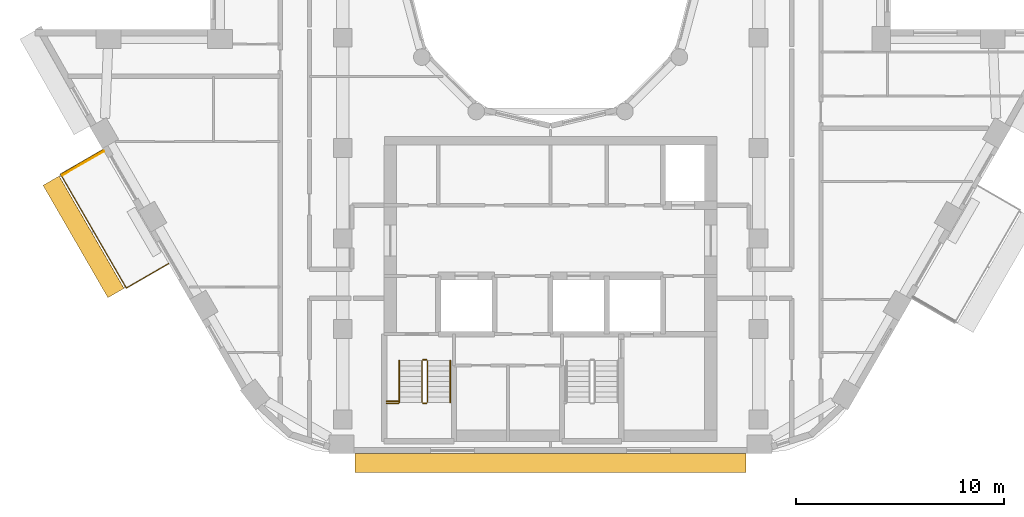
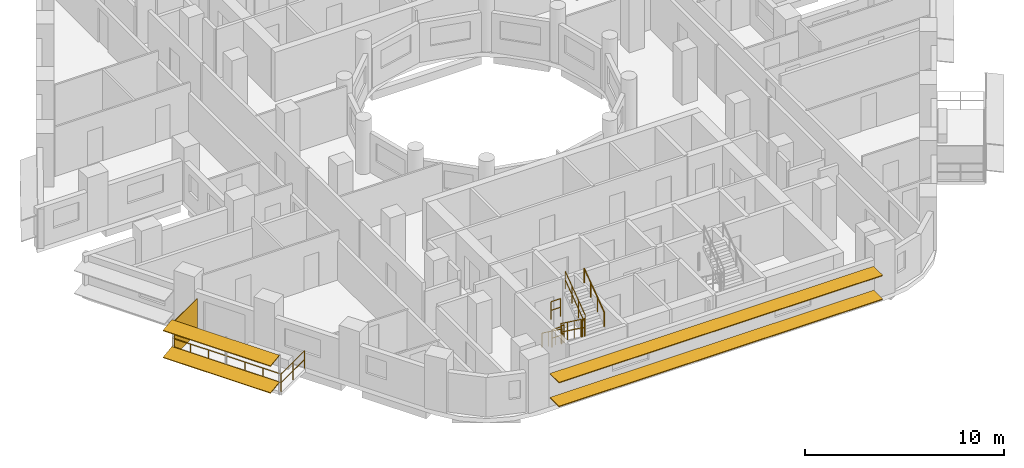
# One storey, part 13 of 16: 9 railings, 5 shading devices.
"""IFC4 building model written with IfcOpenShell, lengths in metres."""

from ifc_helpers import new_model, si_unit, direction, frame, origin, origin_2d, place, context, subcontext, project, spatial, rectangle, circle, extrude, material, layer, layer_set, material_profile, profile_set, type_object, element, save


model = new_model("IFC4")

# Units and contexts
model_context = context("Model", 3, precision=1e-05, world=origin(), true_north=direction((0.0, 1.0)))
body_context = subcontext(model_context, "Body", "Model", "MODEL_VIEW")
ifc_project = project(units=[si_unit("LENGTHUNIT", "METRE"), si_unit("AREAUNIT", "SQUARE_METRE"), si_unit("VOLUMEUNIT", "CUBIC_METRE"), si_unit("PLANEANGLEUNIT", "RADIAN"), si_unit("MASSUNIT", "GRAM", prefix="KILO")], contexts=[model_context])

# Site, building, storey
site_placement = place(None, origin())
site = spatial("IfcSite", under=ifc_project, at=site_placement, CompositionType="ELEMENT")
building_placement = place(site_placement, origin())
building = spatial("IfcBuilding", under=site, at=building_placement, Name="Nakaniwa Court", CompositionType="ELEMENT")
storey_placement = place(building_placement, frame((0.0, 0.0, 199.800048828125)))
storey = spatial("IfcBuildingStorey", under=building, at=storey_placement, Name="L52", CompositionType="ELEMENT", Elevation=199.800048828125)

# Railing
ifc_material_1 = material(Name="Black powder-coated steel flat bar balustrade S275", Category="steel")
railing_type_1 = type_object("IfcRailingType", Name="Black metal balcony guard 1100", PredefinedType="GUARDRAIL", material=ifc_material_1)
railing_1_placement = place(storey_placement, frame((58.4814453125, 71.97119140625, -0.050048828125)))
element("IfcRailing", 1, at=railing_1_placement, inside=storey, type_object=railing_type_1, Name="L52 balcony guard 01", PredefinedType="GUARDRAIL", context=body_context, shape_type="SweptSolid", body=[
    extrude(circle(Radius=0.02392578125, at=origin_2d()), frame((0.0, 0.0, 1.076171875), z_axis=(-0.866051224006, -0.499955275397, 0.0), x_axis=(0.499955275397, -0.866051224006, 0.0)), (0.0, 0.0, 1.0), 2.360107421875),
    extrude(circle(Radius=0.02392578125, at=origin_2d()), frame((0.0, 0.0, 0.550048828125), z_axis=(-0.866051224006, -0.499955275397, 0.0), x_axis=(0.499955275397, -0.866051224006, 0.0)), (0.0, 0.0, 1.0), 2.360107421875),
    extrude(circle(Radius=0.02392578125, at=origin_2d()), frame((-2.0439453125, -1.179931640625, 1.076171875), z_axis=(0.500003371769, -0.866023457084, 0.0), x_axis=(0.866023457084, 0.500003371769, 0.0)), (0.0, 0.0, 1.0), 6.3193359375),
    extrude(circle(Radius=0.02392578125, at=origin_2d()), frame((-2.0439453125, -1.179931640625, 0.550048828125), z_axis=(0.500003371769, -0.866023457084, 0.0), x_axis=(0.866023457084, 0.500003371769, 0.0)), (0.0, 0.0, 1.0), 6.3193359375),
    extrude(circle(Radius=0.02392578125, at=origin_2d()), frame((1.11572265625, -6.652587890625, 1.076171875), z_axis=(0.865980564943, 0.500077655111, 0.0), x_axis=(-0.500077655111, 0.865980564943, 0.0)), (0.0, 0.0, 1.0), 2.35986328125),
    extrude(circle(Radius=0.02392578125, at=origin_2d()), frame((1.11572265625, -6.652587890625, 0.550048828125), z_axis=(0.865980564943, 0.500077655111, 0.0), x_axis=(-0.500077655111, 0.865980564943, 0.0)), (0.0, 0.0, 1.0), 2.35986328125),
    extrude(circle(Radius=0.02099609375, at=origin_2d()), origin(), (0.0, 0.0, 1.0), 1.052001953125),
    extrude(circle(Radius=0.02099609375, at=origin_2d()), frame((-1.02197265625, -0.58984375, 0.0)), (0.0, 0.0, 1.0), 1.052001953125),
    extrude(circle(Radius=0.02099609375, at=origin_2d()), frame((-2.0439453125, -1.179931640625, 0.0)), (0.0, 0.0, 1.0), 1.052001953125),
    extrude(circle(Radius=0.02099609375, at=origin_2d()), frame((-1.517333984375, -2.092041015625, 0.0)), (0.0, 0.0, 1.0), 1.052001953125),
    extrude(circle(Radius=0.02099609375, at=origin_2d()), frame((-0.99072265625, -3.004150390625, 0.0)), (0.0, 0.0, 1.0), 1.052001953125),
    extrude(circle(Radius=0.02099609375, at=origin_2d()), frame((-0.464111328125, -3.916259765625, 0.0)), (0.0, 0.0, 1.0), 1.052001953125),
    extrude(circle(Radius=0.02099609375, at=origin_2d()), frame((0.0625, -4.828369140625, 0.0)), (0.0, 0.0, 1.0), 1.052001953125),
    extrude(circle(Radius=0.02099609375, at=origin_2d()), frame((0.589111328125, -5.740478515625, 0.0)), (0.0, 0.0, 1.0), 1.052001953125),
    extrude(circle(Radius=0.02099609375, at=origin_2d()), frame((1.11572265625, -6.652587890625, 0.0)), (0.0, 0.0, 1.0), 1.052001953125),
    extrude(circle(Radius=0.02099609375, at=origin_2d()), frame((2.1376953125, -6.0625, 0.0)), (0.0, 0.0, 1.0), 1.052001953125),
    extrude(circle(Radius=0.02099609375, at=origin_2d()), frame((3.159423828125, -5.472412109375, 0.0)), (0.0, 0.0, 1.0), 1.052001953125),
])

# Shading devices
ifc_material_2 = material(Name="Black powder-coated aluminium slat screen", Category="aluminium")
ifc_layer = layer(ifc_material_2, 0.0400390625)
ifc_layer_set = layer_set([ifc_layer], Name="Black powder-coated aluminium slat screen")
shading_device_type_1 = type_object("IfcShadingDeviceType", Name="Koshi screen black metal", PredefinedType="USERDEFINED", material=ifc_layer_set)
shading_device_placement = place(storey_placement, frame((57.521240234375, 71.324462890625, -0.050048828125), z_axis=(0.0, 0.0, 1.0), x_axis=(0.499986396443, -0.866033257659, 0.0)))
element("IfcShadingDevice", 2, at=shading_device_placement, inside=storey, type_object=shading_device_type_1, Name="L52 balcony SCREEN 01 W", ObjectType="KOSHI SCREEN", PredefinedType="USERDEFINED", context=body_context, shape_type="SweptSolid", body=[
    extrude(rectangle(XDim=0.0400390625, YDim=2.31005859375, at=origin_2d()), origin(), (0.0, 0.0, 1.0), 2.10009765625),
])
ifc_material_3 = material(Name="Perforated charcoal ceramic louvre blade")
ifc_material_profile = material_profile(ifc_material_3, rectangle(XDim=0.89990234375, YDim=0.050048828125, at=origin_2d()), Name="Perforated ceramic louvre blade")
ifc_profile_set = profile_set([ifc_material_profile], Name="Perforated charcoal ceramic louvre blade")
shading_device_type_2 = type_object("IfcShadingDeviceType", Name="Perforated ceramic louvre blade", PredefinedType="JALOUSIE", material=ifc_profile_set)
for number, where, z_axis, x_axis, name in (
    (3, (55.981689453125, 70.48193359375, 0.5), (0.500002460556, -0.866023983177, 0.0), (0.858615027947, 0.495724870193, 0.13052619222), "L52 perforated ceramic louvre blade 01 1"),
    (4, (55.981689453125, 70.48193359375, 2.14990234375), (0.500002460556, -0.866023983177, 0.0), (0.858615027947, 0.495724870193, 0.13052619222), "L52 perforated ceramic louvre blade 01 2"),
):
    element("IfcShadingDevice", number, at=place(storey_placement, frame(where, z_axis=z_axis, x_axis=x_axis)), inside=storey, type_object=shading_device_type_2, Name=name, PredefinedType="JALOUSIE", context=body_context, shape_type="SweptSolid", body=[
        extrude(rectangle(XDim=0.89990234375, YDim=0.050048828125, at=origin_2d()), origin(), (0.0, 0.0, 1.0), 6.2392578125),
    ])
for number, where, z_axis, x_axis, name in (
    (5, (70.6005859375, 56.89990234375, 0.550048828125), (1.0, 0.0, 0.0), (0.0, 1.0, 0.0), "L52 perforated ceramic louvre blade w26 1"),
    (6, (70.6005859375, 56.89990234375, 2.014892578125), (1.0, 0.0, 0.0), (0.0, 1.0, 0.0), "L52 perforated ceramic louvre blade w26 2"),
):
    element("IfcShadingDevice", number, at=place(storey_placement, frame(where, z_axis=z_axis, x_axis=x_axis)), inside=storey, type_object=shading_device_type_2, Name=name, PredefinedType="JALOUSIE", context=body_context, shape_type="SweptSolid", body=[
        extrude(rectangle(XDim=0.89990234375, YDim=0.050048828125, at=origin_2d()), origin(), (0.0, 0.0, 1.0), 18.79296875),
    ])

# Railings
ifc_material_4 = material(Name="Black powder coated steel guard", Category="steel")
railing_type_2 = type_object("IfcRailingType", Name="Stair guard 1100", PredefinedType="GUARDRAIL", material=ifc_material_4)
railing_2_placement = place(storey_placement, frame((73.824951171875, 61.824951171875, 0.183349609375)))
element("IfcRailing", 7, at=railing_2_placement, inside=storey, type_object=railing_type_2, Name="L52 ST3 stair guard 1", PredefinedType="GUARDRAIL", context=body_context, shape_type="SweptSolid", body=[
    extrude(circle(Radius=0.02392578125, at=origin_2d()), frame((0.0, 0.0, 1.076171875), z_axis=(0.0, -0.806426902644, 0.591333789573), x_axis=(1.0, 0.0, 0.0)), (0.0, 0.0, 1.0), 2.47998046875),
    extrude(circle(Radius=0.02392578125, at=origin_2d()), frame((0.0, 0.0, 0.550048828125), z_axis=(0.0, -0.806426902644, 0.591333789573), x_axis=(1.0, 0.0, 0.0)), (0.0, 0.0, 1.0), 2.47998046875),
    extrude(circle(Radius=0.02099609375, at=origin_2d()), origin(), (0.0, 0.0, 1.0), 1.052001953125),
    extrude(circle(Radius=0.02099609375, at=origin_2d()), frame((0.0, -0.666748046875, 0.48876953125)), (0.0, 0.0, 1.0), 1.052001953125),
    extrude(circle(Radius=0.02099609375, at=origin_2d()), frame((0.0, -1.333251953125, 0.977783203125)), (0.0, 0.0, 1.0), 1.052001953125),
    extrude(circle(Radius=0.02099609375, at=origin_2d()), frame((0.0, -2.0, 1.466552734375)), (0.0, 0.0, 1.0), 1.052001953125),
])
railing_3_placement = place(storey_placement, frame((73.875, 59.77490234375, 1.64990234375)))
element("IfcRailing", 8, at=railing_3_placement, inside=storey, type_object=railing_type_2, Name="L52 ST3 stair guard 2", PredefinedType="GUARDRAIL", context=body_context, shape_type="SweptSolid", body=[
    extrude(circle(Radius=0.02392578125, at=origin_2d()), frame((0.0, 0.0, 1.076171875), z_axis=(1.0, 0.0, 0.0), x_axis=(0.0, 1.0, 0.0)), (0.0, 0.0, 1.0), 0.14990234375),
    extrude(circle(Radius=0.02392578125, at=origin_2d()), frame((0.0, 0.0, 0.550048828125), z_axis=(1.0, 0.0, 0.0), x_axis=(0.0, 1.0, 0.0)), (0.0, 0.0, 1.0), 0.14990234375),
    extrude(circle(Radius=0.02099609375, at=origin_2d()), origin(), (0.0, 0.0, 1.0), 1.052001953125),
    extrude(circle(Radius=0.02099609375, at=origin_2d()), frame((0.14990234375, 0.0, 0.0)), (0.0, 0.0, 1.0), 1.052001953125),
])
railing_4_placement = place(storey_placement, frame((74.074951171875, 59.824951171875, 1.833251953125)))
element("IfcRailing", 9, at=railing_4_placement, inside=storey, type_object=railing_type_2, Name="L52 ST3 stair guard 3", PredefinedType="GUARDRAIL", context=body_context, shape_type="SweptSolid", body=[
    extrude(circle(Radius=0.02392578125, at=origin_2d()), frame((0.0, 0.0, 1.076171875), z_axis=(0.0, 0.806379959628, 0.591397802423), x_axis=(-1.0, 0.0, 0.0)), (0.0, 0.0, 1.0), 2.480224609375),
    extrude(circle(Radius=0.02392578125, at=origin_2d()), frame((0.0, 0.0, 0.550048828125), z_axis=(0.0, 0.806379959628, 0.591397802423), x_axis=(-1.0, 0.0, 0.0)), (0.0, 0.0, 1.0), 2.480224609375),
    extrude(circle(Radius=0.02099609375, at=origin_2d()), origin(), (0.0, 0.0, 1.0), 1.052001953125),
    extrude(circle(Radius=0.02099609375, at=origin_2d()), frame((0.0, 0.666748046875, 0.489013671875)), (0.0, 0.0, 1.0), 1.052001953125),
    extrude(circle(Radius=0.02099609375, at=origin_2d()), frame((0.0, 1.333251953125, 0.977783203125)), (0.0, 0.0, 1.0), 1.052001953125),
    extrude(circle(Radius=0.02099609375, at=origin_2d()), frame((0.0, 2.0, 1.466796875)), (0.0, 0.0, 1.0), 1.052001953125),
])
railing_5_placement = place(storey_placement, frame((73.875, 61.875, 0.0)))
element("IfcRailing", 10, at=railing_5_placement, inside=storey, type_object=railing_type_2, Name="L52 ST3 stair guard 4", PredefinedType="GUARDRAIL", context=body_context, shape_type="SweptSolid", body=[
    extrude(circle(Radius=0.02392578125, at=origin_2d()), frame((0.0, 0.0, 1.076171875), z_axis=(1.0, 0.0, 0.0), x_axis=(0.0, 1.0, 0.0)), (0.0, 0.0, 1.0), 0.14990234375),
    extrude(circle(Radius=0.02392578125, at=origin_2d()), frame((0.0, 0.0, 0.550048828125), z_axis=(1.0, 0.0, 0.0), x_axis=(0.0, 1.0, 0.0)), (0.0, 0.0, 1.0), 0.14990234375),
    extrude(circle(Radius=0.02099609375, at=origin_2d()), origin(), (0.0, 0.0, 1.0), 1.052001953125),
    extrude(circle(Radius=0.02099609375, at=origin_2d()), frame((0.14990234375, 0.0, 0.0)), (0.0, 0.0, 1.0), 1.052001953125),
])
for number, where, name in (
    (11, (72.125, 59.77490234375, 1.64990234375), "L52 ST3 landing side guard 1W"),
    (12, (72.125, 59.875, 3.300048828125), "L52 ST3 floor edge guard 1W"),
):
    element("IfcRailing", number, at=place(storey_placement, frame(where)), inside=storey, type_object=railing_type_2, Name=name, PredefinedType="GUARDRAIL", context=body_context, shape_type="SweptSolid", body=[
        extrude(circle(Radius=0.02392578125, at=origin_2d()), frame((0.0, 0.0, 1.076171875), z_axis=(1.0, 0.0, 0.0), x_axis=(0.0, 1.0, 0.0)), (0.0, 0.0, 1.0), 0.550048828125),
        extrude(circle(Radius=0.02392578125, at=origin_2d()), frame((0.0, 0.0, 0.550048828125), z_axis=(1.0, 0.0, 0.0), x_axis=(0.0, 1.0, 0.0)), (0.0, 0.0, 1.0), 0.550048828125),
        extrude(circle(Radius=0.02099609375, at=origin_2d()), origin(), (0.0, 0.0, 1.0), 1.052001953125),
        extrude(circle(Radius=0.02099609375, at=origin_2d()), frame((0.550048828125, 0.0, 0.0)), (0.0, 0.0, 1.0), 1.052001953125),
    ])
ifc_material_5 = material(Name="Black powder coated steel handrail", Category="steel")
railing_type_3 = type_object("IfcRailingType", Name="Stair handrail 900", PredefinedType="HANDRAIL", material=ifc_material_5)
railing_6_placement = place(storey_placement, frame((72.72509765625, 61.824951171875, 0.183349609375)))
element("IfcRailing", 13, at=railing_6_placement, inside=storey, type_object=railing_type_3, Name="L52 ST3 stair handrail 1", PredefinedType="HANDRAIL", context=body_context, shape_type="SweptSolid", body=[
    extrude(circle(Radius=0.02392578125, at=origin_2d()), frame((0.0, 0.0, 0.8759765625), z_axis=(0.0, -0.806426902644, 0.591333789573), x_axis=(1.0, 0.0, 0.0)), (0.0, 0.0, 1.0), 2.47998046875),
    extrude(circle(Radius=0.02099609375, at=origin_2d()), origin(), (0.0, 0.0, 1.0), 0.851806640625),
    extrude(circle(Radius=0.02099609375, at=origin_2d()), frame((0.0, -0.666748046875, 0.48876953125)), (0.0, 0.0, 1.0), 0.851806640625),
    extrude(circle(Radius=0.02099609375, at=origin_2d()), frame((0.0, -1.333251953125, 0.977783203125)), (0.0, 0.0, 1.0), 0.851806640625),
    extrude(circle(Radius=0.02099609375, at=origin_2d()), frame((0.0, -2.0, 1.466552734375)), (0.0, 0.0, 1.0), 0.851806640625),
])
railing_7_placement = place(storey_placement, frame((75.175048828125, 59.824951171875, 1.833251953125)))
element("IfcRailing", 14, at=railing_7_placement, inside=storey, type_object=railing_type_3, Name="L52 ST3 stair handrail 2", PredefinedType="HANDRAIL", context=body_context, shape_type="SweptSolid", body=[
    extrude(circle(Radius=0.02392578125, at=origin_2d()), frame((0.0, 0.0, 0.8759765625), z_axis=(0.0, 0.806379959628, 0.591397802423), x_axis=(-1.0, 0.0, 0.0)), (0.0, 0.0, 1.0), 2.480224609375),
    extrude(circle(Radius=0.02099609375, at=origin_2d()), origin(), (0.0, 0.0, 1.0), 0.851806640625),
    extrude(circle(Radius=0.02099609375, at=origin_2d()), frame((0.0, 0.666748046875, 0.489013671875)), (0.0, 0.0, 1.0), 0.851806640625),
    extrude(circle(Radius=0.02099609375, at=origin_2d()), frame((0.0, 1.333251953125, 0.977783203125)), (0.0, 0.0, 1.0), 0.851806640625),
    extrude(circle(Radius=0.02099609375, at=origin_2d()), frame((0.0, 2.0, 1.466796875)), (0.0, 0.0, 1.0), 0.851806640625),
])

save(model, "model.ifc")
